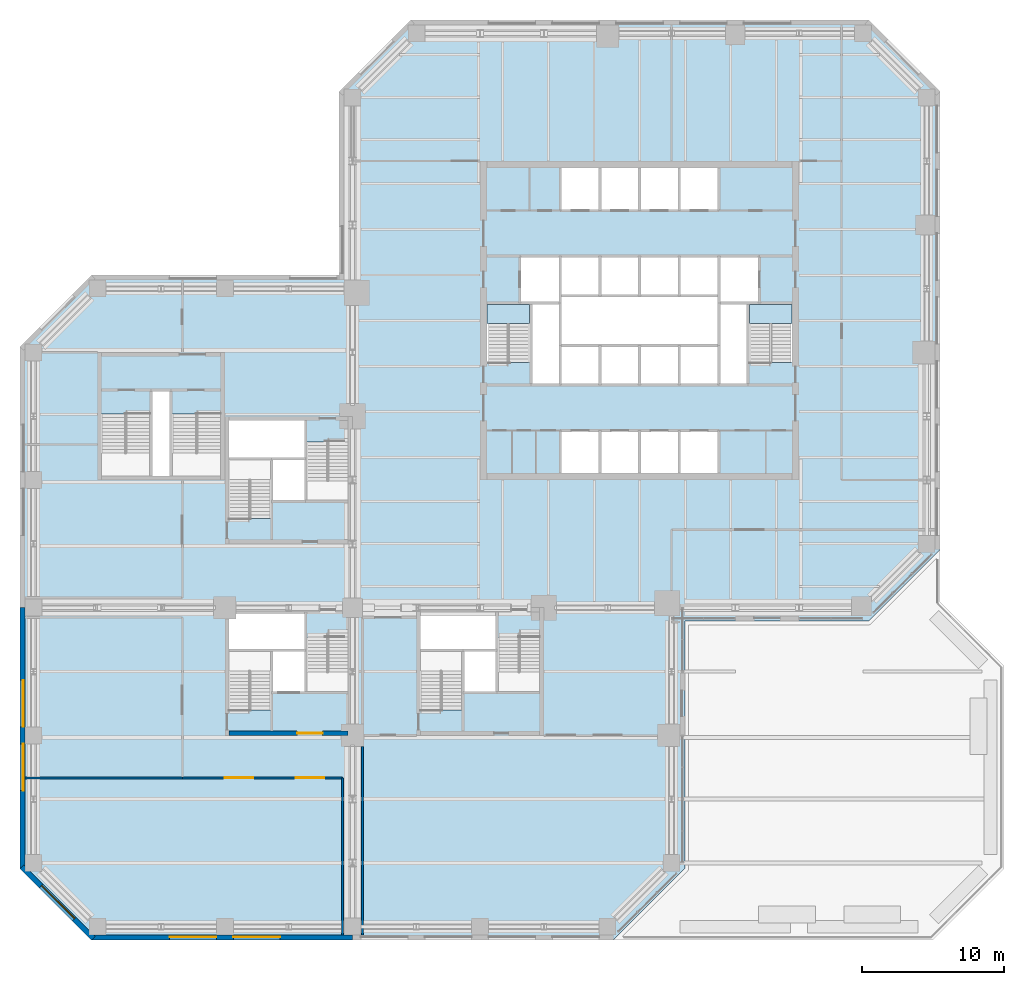
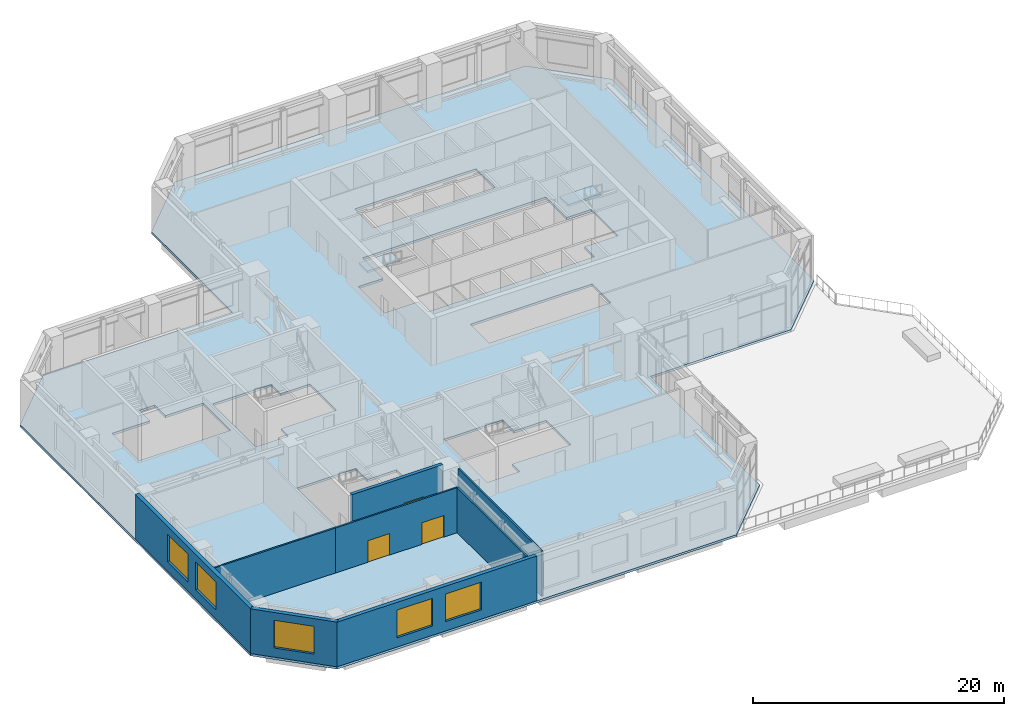
# One storey, part 12 of 21: 8 walls, 5 windows, 3 doors, 3 slabs, 8 openings, 2 elements without a shape of their own.
"""IFC4 building model written with IfcOpenShell, lengths in metres."""

import ifcopenshell
import ifcopenshell.guid

model = None  # the IFC model being written
_history = None  # IfcOwnerHistory: only IFC2X3 demands one
_inside = {}  # id of a spatial element -> (the spatial element, [elements in it])
_under = {}  # id of a project, library or spatial element -> (it, [spatial elements below it])
_declared = {}  # id of a project -> (the project, [libraries it declares])
_typed = {}  # id of a type object -> (the type object, [elements of that type])
_made_of = {}  # id of a material, layer set ... -> (it, [elements and type objects made of it])


def new_model(schema):
    """Start an empty IFC model of exactly this schema.

    Asked for "IFC4X3", IfcOpenShell would pick the latest addendum, in which some entities
    have other attributes; the version numbers below select the first issue.
    IFC2X3 requires an IfcOwnerHistory on every rooted entity: one is made here for all.
    """
    global model, _history
    if schema == "IFC4X3":
        model = ifcopenshell.file(schema_version=(4, 3, 0, 0))
    else:
        model = ifcopenshell.file(schema=schema)
    _inside.clear()
    _under.clear()
    _declared.clear()
    _typed.clear()
    _made_of.clear()
    _history = None
    if model.schema == "IFC2X3":
        org = make("IfcOrganization", Name="unknown")
        user = make(
            "IfcPersonAndOrganization",
            ThePerson=make("IfcPerson", FamilyName="unknown"),
            TheOrganization=org,
        )
        app = make(
            "IfcApplication",
            ApplicationDeveloper=org,
            Version="unknown",
            ApplicationFullName="unknown",
            ApplicationIdentifier="unknown",
        )
        _history = make(
            "IfcOwnerHistory",
            OwningUser=user,
            OwningApplication=app,
            ChangeAction="ADDED",
            CreationDate=0,
        )
    return model


def make(cls, **values):
    """One entity of the class cls with the attributes given. An attribute that is None is left unset."""
    return model.create_entity(
        cls, **{name: value for name, value in values.items() if value is not None}
    )


def rooted(cls, **values):
    """An entity with a GlobalId (a new one), such as an element, a storey or a relation."""
    return make(cls, GlobalId=ifcopenshell.guid.new(), OwnerHistory=_history, **values)


def si_unit(unit_type, name, prefix=None):
    """IfcSIUnit, for example si_unit("LENGTHUNIT", "METRE", prefix="MILLI")."""
    return make("IfcSIUnit", UnitType=unit_type, Prefix=prefix, Name=name)


def assignment(units):
    """IfcUnitAssignment: the units of a project."""
    return None if units is None else make("IfcUnitAssignment", Units=units)


def point(xyz):
    """IfcCartesianPoint."""
    return None if xyz is None else make("IfcCartesianPoint", Coordinates=xyz)


def direction(xyz):
    """IfcDirection."""
    return None if xyz is None else make("IfcDirection", DirectionRatios=xyz)


def frame(location, z_axis=None, x_axis=None):
    """IfcAxis2Placement3D, a coordinate frame: its origin and axes. An axis left out is left unset."""
    return make(
        "IfcAxis2Placement3D",
        Location=point(location),
        Axis=direction(z_axis),
        RefDirection=direction(x_axis),
    )


def frame_2d(location, x_axis=None):
    """IfcAxis2Placement2D, a coordinate frame in the plane: its origin and x axis."""
    return make(
        "IfcAxis2Placement2D", Location=point(location), RefDirection=direction(x_axis)
    )


def origin():
    """The frame at (0, 0, 0) with its axes left unset."""
    return frame((0.0, 0.0, 0.0))


def place(relative_to, where):
    """IfcLocalPlacement: puts the frame where relative to a parent placement (None: the world)."""
    return make(
        "IfcLocalPlacement", PlacementRelTo=relative_to, RelativePlacement=where
    )


def context(
    kind, dimensions, precision=None, world=None, true_north=None, identifier=None
):
    """IfcGeometricRepresentationContext, for example the 3D "Model" context."""
    return make(
        "IfcGeometricRepresentationContext",
        ContextIdentifier=identifier,
        ContextType=kind,
        CoordinateSpaceDimension=dimensions,
        Precision=precision,
        WorldCoordinateSystem=world,
        TrueNorth=true_north,
    )


def subcontext(parent, identifier, kind, view, scale=None):
    """IfcGeometricRepresentationSubContext, for example "Body" below "Model"."""
    return make(
        "IfcGeometricRepresentationSubContext",
        ContextIdentifier=identifier,
        ContextType=kind,
        ParentContext=parent,
        TargetScale=scale,
        TargetView=view,
    )


def project(units=None, contexts=None):
    """IfcProject with its units and contexts."""
    return rooted(
        "IfcProject",
        Name="project",
        RepresentationContexts=contexts,
        UnitsInContext=assignment(units),
    )


def spatial(cls, under=None, at=None, **own):
    """A site, building, storey or space (cls), placed at a placement, below another one or the project."""
    s = rooted(cls, ObjectPlacement=at, **own)
    if under is not None:
        _under.setdefault(under.id(), (under, []))[1].append(s)
    return s


def polyline(points):
    """IfcPolyline through the points."""
    return make("IfcPolyline", Points=[point(p) for p in points])


def profile(cls, at=None, kind="AREA", **sizes):
    """A parametric profile (cls). Its sizes go by their IFC names, for example OverallWidth=200.0."""
    return make(cls, ProfileType=kind, Position=at, **sizes)


def rectangle(**sizes):
    """IfcRectangleProfileDef."""
    return profile("IfcRectangleProfileDef", **sizes)


def outline(outer, holes=None, kind="AREA"):
    """IfcArbitraryClosedProfileDef: a profile drawn as a closed curve; with holes, ...WithVoids."""
    if holes is None:
        return make("IfcArbitraryClosedProfileDef", ProfileType=kind, OuterCurve=outer)
    return make(
        "IfcArbitraryProfileDefWithVoids",
        ProfileType=kind,
        OuterCurve=outer,
        InnerCurves=holes,
    )


def extrude(swept, where, along, depth):
    """IfcExtrudedAreaSolid: the profile swept, set in the frame where, extruded along a direction by depth."""
    return make(
        "IfcExtrudedAreaSolid",
        SweptArea=swept,
        Position=where,
        ExtrudedDirection=direction(along),
        Depth=depth,
    )


def shape(context_of_items, identifier, shape_type, items):
    """IfcShapeRepresentation: the items that make up one representation, for example the "Body"."""
    return make(
        "IfcShapeRepresentation",
        ContextOfItems=context_of_items,
        RepresentationIdentifier=identifier,
        RepresentationType=shape_type,
        Items=items,
    )


def material(Name=None, Category=None):
    """IfcMaterial."""
    return make("IfcMaterial", Name=Name, Category=Category)


def layer(
    of_material, thickness, ventilated=None, Name=None, Category=None, Priority=None
):
    """IfcMaterialLayer: one layer of a wall or slab, of a material (None: an air gap)."""
    return make(
        "IfcMaterialLayer",
        Material=of_material,
        LayerThickness=thickness,
        IsVentilated=ventilated,
        Name=Name,
        Category=Category,
        Priority=Priority,
    )


def layer_set(layers, Name=None):
    """IfcMaterialLayerSet."""
    return make("IfcMaterialLayerSet", MaterialLayers=layers, LayerSetName=Name)


def constituent(of_material, Name=None, Category=None, fraction=None):
    """IfcMaterialConstituent: one of the materials an element consists of."""
    return make(
        "IfcMaterialConstituent",
        Name=Name,
        Material=of_material,
        Fraction=fraction,
        Category=Category,
    )


def constituent_set(constituents=None, Name=None):
    """IfcMaterialConstituentSet."""
    return make(
        "IfcMaterialConstituentSet", Name=Name, MaterialConstituents=constituents
    )


def made_of(thing, what):
    """Note that an element or type object is made of a material, layer set ...; save() writes the relation."""
    if what is not None:
        _made_of.setdefault(what.id(), (what, []))[1].append(thing)
    return thing


def type_object(cls, material=None, **own):
    """A type object (cls), such as IfcWallType, which elements share."""
    return made_of(rooted(cls, **own), material)


def element(
    cls,
    number,
    at=None,
    inside=None,
    cuts=None,
    type_object=None,
    material=None,
    context=None,
    identifier="Body",
    shape_type=None,
    held_by="IfcProductDefinitionShape",
    body=None,
    shapes=None,
    **own,
):
    """One element of the class cls, such as IfcWall. Its Tag is "e" and its number.

    at: its placement. inside: the storey or other place that contains it. cuts: it is an
    opening in that element (IfcRelVoidsElement). A single representation is given by context,
    identifier, shape_type and body (its items); several are given by shapes. held_by: the class
    of the entity that holds the representations. save() writes the other relations.
    """
    e = rooted(cls, Tag="e%d" % number, ObjectPlacement=at, **own)
    if body is not None:
        shapes = [shape(context, identifier, shape_type, body)]
    if shapes is not None:
        e.Representation = make(held_by, Representations=shapes)
    if inside is not None:
        _inside.setdefault(inside.id(), (inside, []))[1].append(e)
    if cuts is not None:
        rooted(
            "IfcRelVoidsElement", RelatingBuildingElement=cuts, RelatedOpeningElement=e
        )
    if type_object is not None:
        _typed.setdefault(type_object.id(), (type_object, []))[1].append(e)
    return made_of(e, material)


def fill(opening, filler):
    """IfcRelFillsElement: the door or window that sits in an opening."""
    return rooted(
        "IfcRelFillsElement",
        RelatingOpeningElement=opening,
        RelatedBuildingElement=filler,
    )


def aggregate(whole, parts):
    """IfcRelAggregates: a whole, such as a stair, and the parts it consists of."""
    return rooted("IfcRelAggregates", RelatingObject=whole, RelatedObjects=parts)


def save(model, path):
    """Write the relations noted so far, then the file.

    IfcRelAggregates (storeys below a building ...), IfcRelContainedInSpatialStructure (elements
    in a storey), IfcRelDefinesByType, IfcRelAssociatesMaterial and IfcRelDeclares: one each for
    every whole, place, type object, material and project.
    """
    for whole, parts in _under.values():
        aggregate(whole, parts)
    for where, things in _inside.values():
        rooted(
            "IfcRelContainedInSpatialStructure",
            RelatedElements=things,
            RelatingStructure=where,
        )
    for kind, things in _typed.values():
        rooted("IfcRelDefinesByType", RelatedObjects=things, RelatingType=kind)
    for what, things in _made_of.values():
        rooted("IfcRelAssociatesMaterial", RelatedObjects=things, RelatingMaterial=what)
    for by, libraries in _declared.values():
        rooted("IfcRelDeclares", RelatingContext=by, RelatedDefinitions=libraries)
    model.write(path)


model = new_model("IFC4")

# Units and contexts
model_context = context("Model", 3, precision=1e-05, world=origin(), true_north=direction((0.0, 1.0)))
body_context = subcontext(model_context, "Body", "Model", "MODEL_VIEW")
ifc_project = project(units=[si_unit("LENGTHUNIT", "METRE"), si_unit("AREAUNIT", "SQUARE_METRE"), si_unit("VOLUMEUNIT", "CUBIC_METRE"), si_unit("PLANEANGLEUNIT", "RADIAN"), si_unit("MASSUNIT", "GRAM", prefix="KILO")], contexts=[model_context])

# Site, building, storey
site_placement = place(None, origin())
site = spatial("IfcSite", under=ifc_project, at=site_placement, CompositionType="ELEMENT")
building_placement = place(site_placement, origin())
building = spatial("IfcBuilding", under=site, at=building_placement, Name="Quoin Convention Tower", CompositionType="ELEMENT")
storey_placement = place(building_placement, frame((0.0, 0.0, 18.5)))
storey = spatial("IfcBuildingStorey", under=building, at=storey_placement, Name="L03", CompositionType="ELEMENT", Elevation=18.5)

# Slab
ifc_material_1 = material(Name="Concrete C50", Category="concrete")
ifc_layer_1 = layer(ifc_material_1, 0.219970703125)
ifc_layer_set_1 = layer_set([ifc_layer_1], Name="Concrete C50")
slab_type_1 = type_object("IfcSlabType", Name="RC SLAB 220 C50", PredefinedType="FLOOR", material=ifc_layer_set_1)
slab_1_placement = place(storey_placement, frame((0.0, 0.0, -0.219970703125)))
element("IfcSlab", 1, at=slab_1_placement, inside=storey, type_object=slab_type_1, Name="slb-L03", PredefinedType="FLOOR", context=body_context, shape_type="SweptSolid", body=[
    extrude(outline(polyline([(12.550048828125, 58.8935546875), (17.6064453125, 63.949951171875), (35.050048828125, 63.949951171875), (35.050048828125, 76.8935546875), (40.1064453125, 81.949951171875), (72.3935546875, 81.949951171875), (77.449951171875, 76.8935546875), (77.449951171875, 44.6064453125), (72.3935546875, 39.550048828125), (59.449951171875, 39.550048828125), (59.449951171875, 22.1064453125), (54.3935546875, 17.050048828125), (17.6064453125, 17.050048828125), (12.550048828125, 22.1064453125), (12.550048828125, 58.8935546875)]), holes=[polyline([(30.300048828125, 33.300537109375), (30.300048828125, 34.5), (32.699951171875, 34.5), (35.39990234375, 34.5), (35.39990234375, 38.3994140625), (32.699951171875, 38.3994140625), (32.699951171875, 40.199951171875), (27.300048828125, 40.199951171875), (27.300048828125, 37.5), (27.300048828125, 33.300537109375), (30.300048828125, 33.300537109375)]), polyline([(43.800048828125, 33.300537109375), (43.800048828125, 34.5), (46.199951171875, 34.5), (49.199951171875, 34.5), (49.199951171875, 38.3994140625), (46.199951171875, 38.3994140625), (46.199951171875, 40.199951171875), (40.800048828125, 40.199951171875), (40.800048828125, 37.5), (40.800048828125, 33.300537109375), (43.800048828125, 33.300537109375)]), polyline([(27.300048828125, 46.800537109375), (30.300048828125, 46.800537109375), (30.300048828125, 48.0), (32.699951171875, 48.0), (35.39990234375, 48.0), (35.39990234375, 52.199462890625), (32.699951171875, 52.199462890625), (32.699951171875, 53.699951171875), (27.300048828125, 53.699951171875), (27.300048828125, 51.0), (27.300048828125, 46.800537109375)]), polyline([(53.449951171875, 50.0), (56.25, 50.0), (59.050048828125, 50.0), (61.85009765625, 50.0), (61.85009765625, 53.0), (59.050048828125, 53.0), (56.25, 53.0), (53.449951171875, 53.0), (50.64990234375, 53.0), (50.64990234375, 50.0), (53.449951171875, 50.0)]), polyline([(23.199951171875, 49.800048828125), (26.699951171875, 49.800048828125), (26.699951171875, 54.1494140625), (23.199951171875, 54.1494140625), (23.199951171875, 55.85009765625), (21.800048828125, 55.85009765625), (21.800048828125, 54.1494140625), (18.300048828125, 54.1494140625), (18.300048828125, 49.800048828125), (21.800048828125, 49.800048828125), (23.199951171875, 49.800048828125)]), polyline([(45.5, 57.800537109375), (48.60009765625, 57.800537109375), (48.60009765625, 56.199951171875), (50.64990234375, 56.199951171875), (53.449951171875, 56.199951171875), (56.25, 56.199951171875), (59.050048828125, 56.199951171875), (61.85009765625, 56.199951171875), (63.89990234375, 56.199951171875), (63.89990234375, 57.800537109375), (67.0, 57.800537109375), (67.0, 62.0), (64.699951171875, 62.0), (64.699951171875, 65.300048828125), (61.85009765625, 65.300048828125), (59.050048828125, 65.300048828125), (56.25, 65.300048828125), (53.449951171875, 65.300048828125), (50.64990234375, 65.300048828125), (47.800048828125, 65.300048828125), (47.800048828125, 62.0), (45.5, 62.0), (45.5, 57.800537109375)]), polyline([(59.050048828125, 68.5), (61.85009765625, 68.5), (61.85009765625, 71.5), (59.050048828125, 71.5), (56.25, 71.5), (53.449951171875, 71.5), (50.64990234375, 71.5), (50.64990234375, 68.5), (53.449951171875, 68.5), (56.25, 68.5), (59.050048828125, 68.5)])]), origin(), (0.0, 0.0, 1.0), 0.219970703125),
])

# Stair, slab
ifc_material_2 = material(Name="Concrete C40", Category="concrete")
stair_type = type_object("IfcStairType", Name="Exit stair two-flight 1350", PredefinedType="HALF_TURN_STAIR", material=ifc_material_2)
stair_1_placement = place(storey_placement, origin())
stair_1 = element("IfcStair", 2, at=stair_1_placement, inside=storey, type_object=stair_type, Name="SD1 L03", PredefinedType="HALF_TURN_STAIR")
ifc_layer_2 = layer(ifc_material_2, 0.199951171875)
ifc_layer_set_2 = layer_set([ifc_layer_2], Name="Concrete C40")
slab_type_2 = type_object("IfcSlabType", Name="Stair landing 200", PredefinedType="LANDING", material=ifc_layer_set_2)
slab_2_placement = place(storey_placement, frame((0.0, 0.0, 2.19189453125)))
slab_2 = element("IfcSlab", 3, at=slab_2_placement, type_object=slab_type_2, Name="ST1 landing 1", PredefinedType="LANDING", context=body_context, shape_type="SweptSolid", body=[
    extrude(outline(polyline([(45.5, 60.550048828125), (48.5, 60.550048828125), (48.5, 61.89990234375), (45.5, 61.89990234375), (45.5, 60.550048828125)])), origin(), (0.0, 0.0, 1.0), 0.2001953125),
])
aggregate(stair_1, [slab_2])

stair_2_placement = place(storey_placement, origin())
stair_2 = element("IfcStair", 4, at=stair_2_placement, inside=storey, type_object=stair_type, Name="SD2 L03", PredefinedType="HALF_TURN_STAIR")
slab_3_placement = place(storey_placement, frame((0.0, 0.0, 2.19189453125)))
slab_3 = element("IfcSlab", 5, at=slab_3_placement, type_object=slab_type_2, Name="ST2 landing 1", PredefinedType="LANDING", context=body_context, shape_type="SweptSolid", body=[
    extrude(outline(polyline([(64.0, 60.550048828125), (67.0, 60.550048828125), (67.0, 61.89990234375), (64.0, 61.89990234375), (64.0, 60.550048828125)])), origin(), (0.0, 0.0, 1.0), 0.2001953125),
])
aggregate(stair_2, [slab_3])

# Wall, opening, window
ifc_material_3 = material(Name="Brick masonry", Category="masonry")
ifc_layer_3 = layer(ifc_material_3, 0.35009765625)
ifc_layer_set_3 = layer_set([ifc_layer_3], Name="Brick masonry")
wall_type_1 = type_object("IfcWallType", Name="Brick facade wall", PredefinedType="STANDARD", material=ifc_layer_set_3)
wall_1_placement = place(storey_placement, frame((12.673583984375, 22.230224609375, 0.0), z_axis=(0.0, 0.0, 1.0), x_axis=(0.707106781187, -0.707106781187, 0.0)))
wall_1 = element("IfcWall", 6, at=wall_1_placement, inside=storey, type_object=wall_type_1, Name="fw-L03-13500_22500", PredefinedType="STANDARD", context=body_context, shape_type="SweptSolid", body=[
    extrude(rectangle(XDim=7.151123046875, YDim=0.35009765625, at=frame_2d((3.57568359375, 0.0))), origin(), (0.0, 0.0, 1.0), 4.35498046875),
])
opening_1_placement = place(wall_1_placement, frame((1.925537109375, 0.0, 0.89990234375)))
opening_1 = element("IfcOpeningElement", 7, at=opening_1_placement, cuts=wall_1, Name="Opening W-03", PredefinedType="OPENING", context=body_context, shape_type="SweptSolid", body=[
    extrude(rectangle(XDim=3.300048828125, YDim=2.699951171875, at=frame_2d((1.64990234375, 1.35009765625))), frame((0.0, 0.18505859375, 0.0), z_axis=(0.0, -1.0, 0.0), x_axis=(1.0, 0.0, 0.0)), (0.0, 0.0, 1.0), 0.3701171875),
])
ifc_material_4 = material(Name="Aluminium", Category="aluminium")
ifc_constituent_1 = constituent(ifc_material_4, Name="Frame")
ifc_material_5 = material(Name="Insulated glass", Category="glass")
ifc_constituent_2 = constituent(ifc_material_5, Name="Glazing")
ifc_constituent_set = constituent_set(constituents=[ifc_constituent_1, ifc_constituent_2], Name="Aluminium")
window_type = type_object("IfcWindowType", Name="Sky lobby window", PartitioningType="DOUBLE_PANEL_VERTICAL", PredefinedType="WINDOW", material=ifc_constituent_set)
window_1_placement = place(opening_1_placement, origin())
window_1 = element("IfcWindow", 8, at=window_1_placement, inside=storey, type_object=window_type, Name="win-L03-15202_19702", OverallHeight=2.699951171875, OverallWidth=3.300048828125, PartitioningType="SINGLE_PANEL", PredefinedType="WINDOW", context=body_context, shape_type="SweptSolid", body=[
    extrude(rectangle(XDim=3.300048828125, YDim=2.699951171875, at=frame_2d((1.64990234375, 1.35009765625))), frame((0.0, 0.0849609375, 0.0), z_axis=(0.0, -1.0, 0.0), x_axis=(1.0, 0.0, 0.0)), (0.0, 0.0, 1.0), 0.06005859375),
])
fill(opening_1, window_1)

# Wall, openings, windows
wall_2_placement = place(storey_placement, frame((17.6064453125, 17.22509765625, 0.0), z_axis=(0.0, 0.0, 1.0), x_axis=(1.0, 0.0, 0.0)))
wall_2 = element("IfcWall", 9, at=wall_2_placement, inside=storey, type_object=wall_type_1, Name="fw-L03-18000_18000", PredefinedType="STANDARD", context=body_context, shape_type="SweptSolid", body=[
    extrude(rectangle(XDim=18.3935546875, YDim=0.35009765625, at=frame_2d((9.19677734375, 0.0))), origin(), (0.0, 0.0, 1.0), 4.35498046875),
])
opening_2_placement = place(wall_2_placement, frame((5.493408203125, 0.0, 0.89990234375)))
opening_2 = element("IfcOpeningElement", 10, at=opening_2_placement, cuts=wall_2, Name="Opening W-03", PredefinedType="OPENING", context=body_context, shape_type="SweptSolid", body=[
    extrude(rectangle(XDim=3.300048828125, YDim=2.699951171875, at=frame_2d((1.64990234375, 1.35009765625))), frame((0.0, 0.18505859375, 0.0), z_axis=(0.0, -1.0, 0.0), x_axis=(1.0, 0.0, 0.0)), (0.0, 0.0, 1.0), 0.3701171875),
])
opening_3_placement = place(wall_2_placement, frame((9.993408203125, 0.0, 0.89990234375)))
opening_3 = element("IfcOpeningElement", 11, at=opening_3_placement, cuts=wall_2, Name="Opening W-03", PredefinedType="OPENING", context=body_context, shape_type="SweptSolid", body=[
    extrude(rectangle(XDim=3.300048828125, YDim=2.699951171875, at=frame_2d((1.64990234375, 1.35009765625))), frame((0.0, 0.18505859375, 0.0), z_axis=(0.0, -1.0, 0.0), x_axis=(1.0, 0.0, 0.0)), (0.0, 0.0, 1.0), 0.3701171875),
])
window_2_placement = place(opening_2_placement, origin())
window_2 = element("IfcWindow", 12, at=window_2_placement, inside=storey, type_object=window_type, Name="win-L03-24750_17225", OverallHeight=2.699951171875, OverallWidth=3.300048828125, PartitioningType="SINGLE_PANEL", PredefinedType="WINDOW", context=body_context, shape_type="SweptSolid", body=[
    extrude(rectangle(XDim=3.300048828125, YDim=2.699951171875, at=frame_2d((1.64990234375, 1.35009765625))), frame((0.0, 0.0849609375, 0.0), z_axis=(0.0, -1.0, 0.0), x_axis=(1.0, 0.0, 0.0)), (0.0, 0.0, 1.0), 0.06005859375),
])
fill(opening_2, window_2)
window_3_placement = place(opening_3_placement, origin())
window_3 = element("IfcWindow", 13, at=window_3_placement, inside=storey, type_object=window_type, Name="win-L03-29250_17225", OverallHeight=2.699951171875, OverallWidth=3.300048828125, PartitioningType="SINGLE_PANEL", PredefinedType="WINDOW", context=body_context, shape_type="SweptSolid", body=[
    extrude(rectangle(XDim=3.300048828125, YDim=2.699951171875, at=frame_2d((1.64990234375, 1.35009765625))), frame((0.0, 0.0849609375, 0.0), z_axis=(0.0, -1.0, 0.0), x_axis=(1.0, 0.0, 0.0)), (0.0, 0.0, 1.0), 0.06005859375),
])
fill(opening_3, window_3)

wall_3_placement = place(storey_placement, frame((12.72509765625, 40.5, 0.0), z_axis=(0.0, 0.0, 1.0), x_axis=(0.0, -1.0, 0.0)))
wall_3 = element("IfcWall", 14, at=wall_3_placement, inside=storey, type_object=wall_type_1, Name="fw-L03-13500_40500", PredefinedType="STANDARD", context=body_context, shape_type="SweptSolid", body=[
    extrude(rectangle(XDim=18.3935546875, YDim=0.35009765625, at=frame_2d((9.19677734375, 0.0))), origin(), (0.0, 0.0, 1.0), 4.35498046875),
])
opening_4_placement = place(wall_3_placement, frame((5.10009765625, 0.0, 0.89990234375)))
opening_4 = element("IfcOpeningElement", 15, at=opening_4_placement, cuts=wall_3, Name="Opening W-03", PredefinedType="OPENING", context=body_context, shape_type="SweptSolid", body=[
    extrude(rectangle(XDim=3.300048828125, YDim=2.699951171875, at=frame_2d((1.64990234375, 1.35009765625))), frame((0.0, 0.18505859375, 0.0), z_axis=(0.0, -1.0, 0.0), x_axis=(1.0, 0.0, 0.0)), (0.0, 0.0, 1.0), 0.3701171875),
])
opening_5_placement = place(wall_3_placement, frame((9.60009765625, 0.0, 0.89990234375)))
opening_5 = element("IfcOpeningElement", 16, at=opening_5_placement, cuts=wall_3, Name="Opening W-03", PredefinedType="OPENING", context=body_context, shape_type="SweptSolid", body=[
    extrude(rectangle(XDim=3.300048828125, YDim=2.699951171875, at=frame_2d((1.64990234375, 1.35009765625))), frame((0.0, 0.18505859375, 0.0), z_axis=(0.0, -1.0, 0.0), x_axis=(1.0, 0.0, 0.0)), (0.0, 0.0, 1.0), 0.3701171875),
])
window_4_placement = place(opening_4_placement, origin())
window_4 = element("IfcWindow", 17, at=window_4_placement, inside=storey, type_object=window_type, Name="win-L03-12725_33750", OverallHeight=2.699951171875, OverallWidth=3.300048828125, PartitioningType="SINGLE_PANEL", PredefinedType="WINDOW", context=body_context, shape_type="SweptSolid", body=[
    extrude(rectangle(XDim=3.300048828125, YDim=2.699951171875, at=frame_2d((1.64990234375, 1.35009765625))), frame((0.0, 0.0849609375, 0.0), z_axis=(0.0, -1.0, 0.0), x_axis=(1.0, 0.0, 0.0)), (0.0, 0.0, 1.0), 0.06005859375),
])
fill(opening_4, window_4)
window_5_placement = place(opening_5_placement, origin())
window_5 = element("IfcWindow", 18, at=window_5_placement, inside=storey, type_object=window_type, Name="win-L03-12725_29250", OverallHeight=2.699951171875, OverallWidth=3.300048828125, PartitioningType="SINGLE_PANEL", PredefinedType="WINDOW", context=body_context, shape_type="SweptSolid", body=[
    extrude(rectangle(XDim=3.300048828125, YDim=2.699951171875, at=frame_2d((1.64990234375, 1.35009765625))), frame((0.0, 0.0849609375, 0.0), z_axis=(0.0, -1.0, 0.0), x_axis=(1.0, 0.0, 0.0)), (0.0, 0.0, 1.0), 0.06005859375),
])
fill(opening_5, window_5)

# Walls
ifc_material_6 = material(Name="Plasterboard")
ifc_layer_4 = layer(ifc_material_6, 0.012451171875, Name="Finish")
ifc_material_7 = material(Name="Steel stud framing", Category="steel")
ifc_layer_5 = layer(ifc_material_7, 0.125, Name="Structure")
ifc_layer_6 = layer(ifc_material_6, 0.012451171875, Name="Finish")
ifc_layer_set_4 = layer_set([ifc_layer_4, ifc_layer_5, ifc_layer_6], Name="Steel stud framing")
wall_type_2 = type_object("IfcWallType", Name="Partition wall 150", PredefinedType="PARTITIONING", material=ifc_layer_set_4)
wall_4_placement = place(storey_placement, frame((35.300048828125, 17.39990234375, 0.0), z_axis=(0.0, 0.0, 1.0), x_axis=(0.0, 1.0, 0.0)))
element("IfcWall", 19, at=wall_4_placement, inside=storey, type_object=wall_type_2, Name="pw-L03-001", PredefinedType="PARTITIONING", context=body_context, shape_type="SweptSolid", body=[
    extrude(rectangle(XDim=11.10009765625, YDim=0.14990234375, at=frame_2d((5.550048828125, 0.0))), origin(), (0.0, 0.0, 1.0), 4.3798828125),
])
wall_5_placement = place(storey_placement, frame((36.699951171875, 17.39990234375, 0.0), z_axis=(0.0, 0.0, 1.0), x_axis=(0.0, 1.0, 0.0)))
element("IfcWall", 20, at=wall_5_placement, inside=storey, type_object=wall_type_2, Name="pw-L03-002", PredefinedType="PARTITIONING", context=body_context, shape_type="SweptSolid", body=[
    extrude(rectangle(XDim=13.300048828125, YDim=0.14990234375, at=frame_2d((6.64990234375, 0.0))), origin(), (0.0, 0.0, 1.0), 4.3798828125),
])
wall_6_placement = place(storey_placement, frame((12.89990234375, 28.5, 0.0), z_axis=(0.0, 0.0, 1.0), x_axis=(1.0, 0.0, 0.0)))
element("IfcWall", 21, at=wall_6_placement, inside=storey, type_object=wall_type_2, Name="pw-L03-003", PredefinedType="PARTITIONING", context=body_context, shape_type="SweptSolid", body=[
    extrude(rectangle(XDim=11.10009765625, YDim=0.14990234375, at=frame_2d((5.550048828125, 0.0))), origin(), (0.0, 0.0, 1.0), 4.3798828125),
])

# Wall, openings, doors
wall_7_placement = place(storey_placement, frame((24.0, 28.5, 0.0), z_axis=(0.0, 0.0, 1.0), x_axis=(1.0, 0.0, 0.0)))
wall_7 = element("IfcWall", 22, at=wall_7_placement, inside=storey, type_object=wall_type_2, Name="pw-L03-004", PredefinedType="PARTITIONING", context=body_context, shape_type="SweptSolid", body=[
    extrude(rectangle(XDim=11.300048828125, YDim=0.14990234375, at=frame_2d((5.64990234375, 0.0))), origin(), (0.0, 0.0, 1.0), 4.3798828125),
])
opening_6_placement = place(wall_7_placement, frame((3.0, 0.0, 0.0)))
opening_6 = element("IfcOpeningElement", 23, at=opening_6_placement, cuts=wall_7, Name="Opening DPD3-01", PredefinedType="OPENING", context=body_context, shape_type="SweptSolid", body=[
    extrude(rectangle(XDim=2.0, YDim=2.10009765625, at=frame_2d((1.0, 1.050048828125))), frame((0.0, 0.0849609375, 0.0), z_axis=(0.0, -1.0, 0.0), x_axis=(1.0, 0.0, 0.0)), (0.0, 0.0, 1.0), 0.169921875),
])
opening_7_placement = place(wall_7_placement, frame((8.0, 0.0, 0.0)))
opening_7 = element("IfcOpeningElement", 24, at=opening_7_placement, cuts=wall_7, Name="Opening DPD3-02", PredefinedType="OPENING", context=body_context, shape_type="SweptSolid", body=[
    extrude(rectangle(XDim=2.0, YDim=2.10009765625, at=frame_2d((1.0, 1.050048828125))), frame((0.0, 0.0849609375, 0.0), z_axis=(0.0, -1.0, 0.0), x_axis=(1.0, 0.0, 0.0)), (0.0, 0.0, 1.0), 0.169921875),
])
ifc_material_8 = material(Name="Steel door leaf", Category="steel")
door_type_1 = type_object("IfcDoorType", Name="Double leaf door 2000", OperationType="DOUBLE_DOOR_SINGLE_SWING", PredefinedType="DOOR", material=ifc_material_8)
door_1_placement = place(opening_6_placement, frame((2.0, 0.0, 0.0), z_axis=(0.0, 0.0, 1.0), x_axis=(-1.0, 0.0, 0.0)))
door_1 = element("IfcDoor", 25, at=door_1_placement, inside=storey, type_object=door_type_1, Name="dr-L03-005", OperationType="DOUBLE_DOOR_SINGLE_SWING", OverallHeight=2.10009765625, OverallWidth=2.0, PredefinedType="DOOR", context=body_context, shape_type="SweptSolid", body=[
    extrude(rectangle(XDim=2.0, YDim=2.10009765625, at=frame_2d((1.0, 1.050048828125))), frame((0.0, 0.02490234375, 0.0), z_axis=(0.0, -1.0, 0.0), x_axis=(1.0, 0.0, 0.0)), (0.0, 0.0, 1.0), 0.050048828125),
])
fill(opening_6, door_1)
door_2_placement = place(opening_7_placement, frame((2.0, 0.0, 0.0), z_axis=(0.0, 0.0, 1.0), x_axis=(-1.0, 0.0, 0.0)))
door_2 = element("IfcDoor", 26, at=door_2_placement, inside=storey, type_object=door_type_1, Name="dr-L03-006", OperationType="DOUBLE_DOOR_SINGLE_SWING", OverallHeight=2.10009765625, OverallWidth=2.0, PredefinedType="DOOR", context=body_context, shape_type="SweptSolid", body=[
    extrude(rectangle(XDim=2.0, YDim=2.10009765625, at=frame_2d((1.0, 1.050048828125))), frame((0.0, 0.02490234375, 0.0), z_axis=(0.0, -1.0, 0.0), x_axis=(1.0, 0.0, 0.0)), (0.0, 0.0, 1.0), 0.050048828125),
])
fill(opening_7, door_2)

# Wall, opening, door
ifc_material_9 = material(Name="Concrete C80", Category="concrete")
ifc_layer_7 = layer(ifc_material_9, 0.300048828125)
ifc_layer_set_5 = layer_set([ifc_layer_7], Name="Concrete C80")
wall_type_3 = type_object("IfcWallType", Name="RC CORE WALL 300 C80", PredefinedType="SHEAR", material=ifc_layer_set_5)
wall_8_placement = place(storey_placement, frame((27.300048828125, 31.64990234375, 0.0), z_axis=(0.0, 0.0, 1.0), x_axis=(1.0, 0.0, 0.0)))
wall_8 = element("IfcWall", 27, at=wall_8_placement, inside=storey, type_object=wall_type_3, Name="cwl-P4-L03-S", PredefinedType="SHEAR", context=body_context, shape_type="SweptSolid", body=[
    extrude(rectangle(XDim=8.39990234375, YDim=0.300048828125, at=frame_2d((4.199951171875, 0.0))), origin(), (0.0, 0.0, 1.0), 4.60009765625),
])
opening_8_placement = place(wall_8_placement, frame((4.800048828125, 0.0, 0.0)))
opening_8 = element("IfcOpeningElement", 28, at=opening_8_placement, cuts=wall_8, Name="Opening DCV1-52", PredefinedType="OPENING", context=body_context, shape_type="SweptSolid", body=[
    extrude(rectangle(XDim=1.800048828125, YDim=2.10009765625, at=frame_2d((0.89990234375, 1.050048828125))), frame((0.0, 0.159912109375, 0.0), z_axis=(0.0, -1.0, 0.0), x_axis=(1.0, 0.0, 0.0)), (0.0, 0.0, 1.0), 0.320068359375),
])
door_type_2 = type_object("IfcDoorType", Name="Goods lobby door 1800 x 2100", OperationType="SINGLE_SWING_LEFT", PredefinedType="DOOR", material=ifc_material_8)
door_3_placement = place(opening_8_placement, origin())
door_3 = element("IfcDoor", 29, at=door_3_placement, inside=storey, type_object=door_type_2, Name="cd-P4-L03-R2-S", OperationType="SINGLE_SWING_LEFT", OverallHeight=2.10009765625, OverallWidth=1.800048828125, PredefinedType="DOOR", context=body_context, shape_type="SweptSolid", body=[
    extrude(rectangle(XDim=1.800048828125, YDim=2.10009765625, at=frame_2d((0.89990234375, 1.050048828125))), frame((0.0, 0.02490234375, 0.0), z_axis=(0.0, -1.0, 0.0), x_axis=(1.0, 0.0, 0.0)), (0.0, 0.0, 1.0), 0.050048828125),
])
fill(opening_8, door_3)

save(model, "model.ifc")
